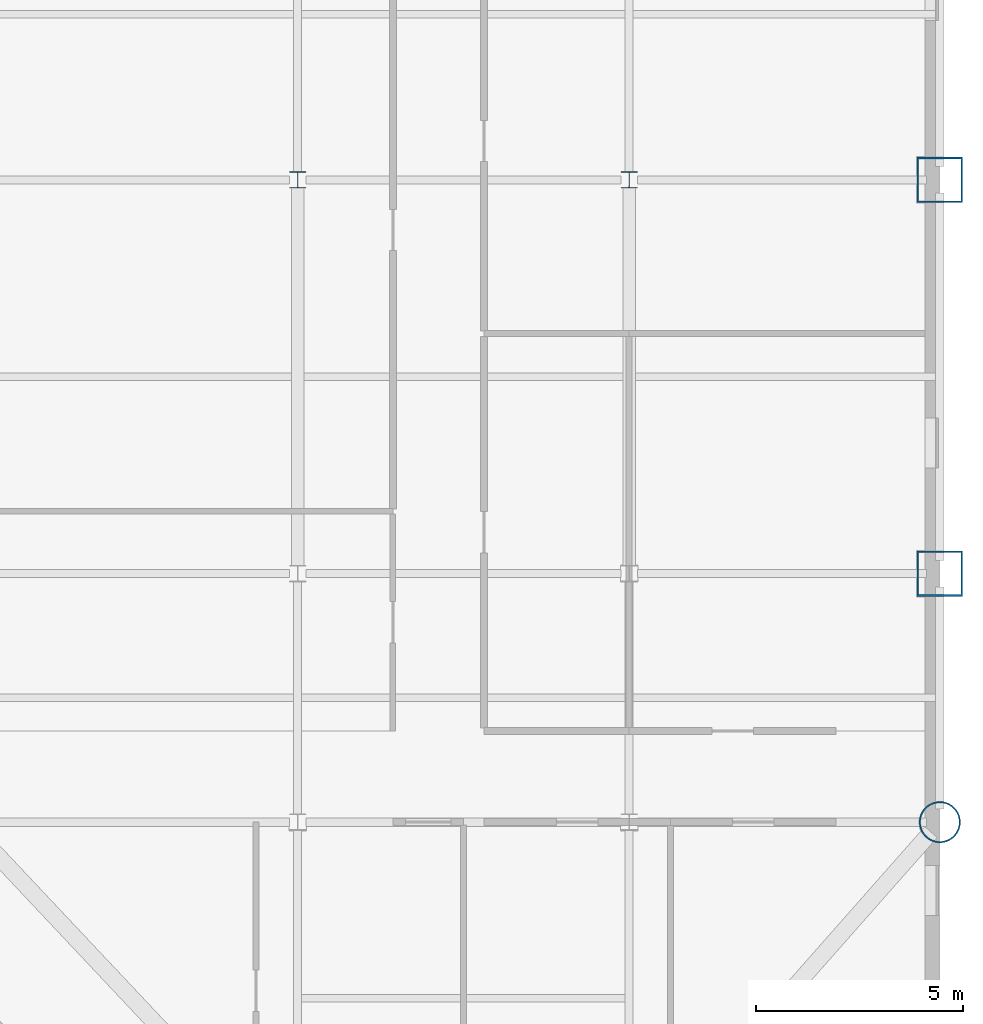
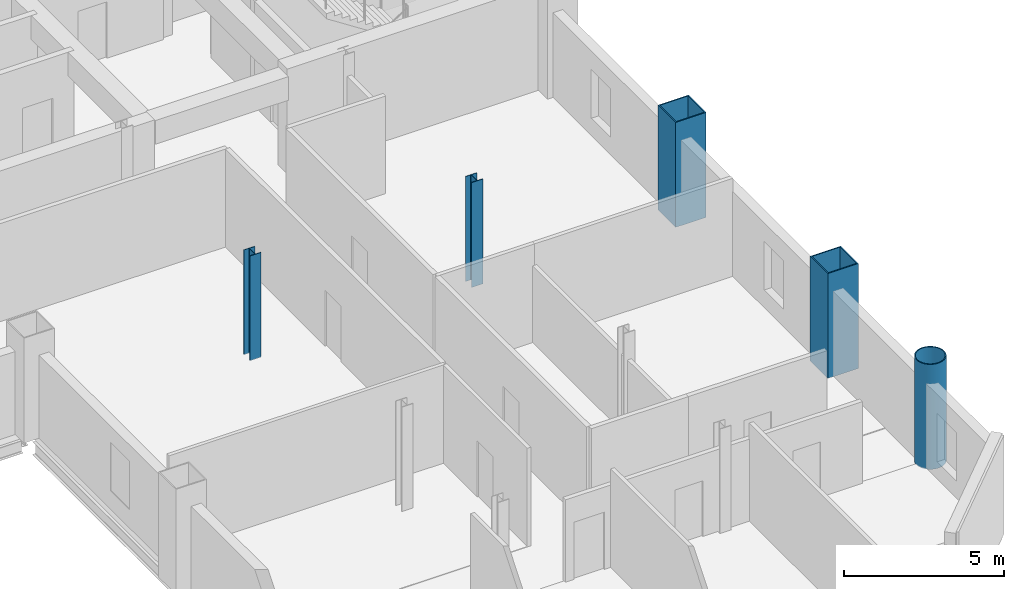
# One storey, part 2 of 10: 5 columns.
"""IFC4 building model written with IfcOpenShell, lengths in metres."""

from ifc_helpers import new_model, si_unit, direction, frame, origin, origin_2d, place, context, subcontext, project, spatial, hollow_rectangle, hollow_circle, i_section, extrude, material, material_profile, profile_set, type_object, element, save


model = new_model("IFC4")

# Units and contexts
model_context = context("Model", 3, precision=1e-05, world=origin(), true_north=direction((0.0, 1.0)))
body_context = subcontext(model_context, "Body", "Model", "MODEL_VIEW")
ifc_project = project(units=[si_unit("LENGTHUNIT", "METRE"), si_unit("AREAUNIT", "SQUARE_METRE"), si_unit("VOLUMEUNIT", "CUBIC_METRE"), si_unit("PLANEANGLEUNIT", "RADIAN"), si_unit("MASSUNIT", "GRAM", prefix="KILO")], contexts=[model_context])

# Site, building, storey
site_placement = place(None, origin())
site = spatial("IfcSite", under=ifc_project, at=site_placement, CompositionType="ELEMENT")
building_placement = place(site_placement, origin())
building = spatial("IfcBuilding", under=site, at=building_placement, Name="Qianrong Seaharbour Tower", CompositionType="ELEMENT")
storey_placement = place(building_placement, frame((0.0, 0.0, 183.0)))
storey = spatial("IfcBuildingStorey", under=building, at=storey_placement, Name="L44", CompositionType="ELEMENT", Elevation=183.0)

# Columns
ifc_material = material(Name="Structural steel SN490B", Category="steel")
ifc_material_profile_1 = material_profile(ifc_material, hollow_rectangle(XDim=1.10009765625, YDim=1.10009765625, WallThickness=0.0400390625, at=origin_2d()), Name="BOX1100x1100x40")
ifc_profile_set_1 = profile_set([ifc_material_profile_1], Name="Structural steel SN490B")
column_type_1 = type_object("IfcColumnType", Name="COL-CFT-1100", PredefinedType="COLUMN", material=ifc_profile_set_1)
for number, where, z_axis, x_axis, name in (
    (1, (64.0, 18.5, 0.0), (0.0, 0.0, 1.0), (1.0, 0.0, 0.0), "L44 Column MC-3 at G9/GD"),
    (2, (64.0, 28.0, 0.0), (0.0, 0.0, 1.0), (1.0, 0.0, 0.0), "L44 Column MC-3 at G9/GE"),
):
    element("IfcColumn", number, at=place(storey_placement, frame(where, z_axis=z_axis, x_axis=x_axis)), inside=storey, type_object=column_type_1, Name=name, PredefinedType="COLUMN", context=body_context, shape_type="SweptSolid", body=[
        extrude(hollow_rectangle(XDim=1.10009765625, YDim=1.10009765625, WallThickness=0.0400390625, at=origin_2d()), origin(), (0.0, 0.0, 1.0), 4.0),
    ])
ifc_material_profile_2 = material_profile(ifc_material, hollow_circle(Radius=0.5, WallThickness=0.035888671875, at=origin_2d()), Name="CHS1000x36")
ifc_profile_set_2 = profile_set([ifc_material_profile_2], Name="Structural steel SN490B")
column_type_2 = type_object("IfcColumnType", Name="COL-CHS-1000", PredefinedType="COLUMN", material=ifc_profile_set_2)
column_placement = place(storey_placement, frame((64.0, 12.5, 0.0), z_axis=(0.0, 0.0, 1.0), x_axis=(1.0, 0.0, 0.0)))
element("IfcColumn", 3, at=column_placement, inside=storey, type_object=column_type_2, Name="L44 Column CC-2 at G9/GC", PredefinedType="COLUMN", context=body_context, shape_type="SweptSolid", body=[
    extrude(hollow_circle(Radius=0.5, WallThickness=0.035888671875, at=origin_2d()), origin(), (0.0, 0.0, 1.0), 4.0),
])
ifc_material_profile_3 = material_profile(ifc_material, i_section(OverallWidth=0.39990234375, OverallDepth=0.39990234375, WebThickness=0.012939453125, FlangeThickness=0.02099609375, FilletRadius=0.02197265625, at=origin_2d()), Name="H400x400x13x21")
ifc_profile_set_3 = profile_set([ifc_material_profile_3], Name="Structural steel SN490B")
column_type_3 = type_object("IfcColumnType", Name="COL-INT-H400", PredefinedType="COLUMN", material=ifc_profile_set_3)
for number, where, z_axis, x_axis, name in (
    (4, (48.5, 28.0, 0.0), (0.0, 0.0, 1.0), (1.0, 0.0, 0.0), "L44 Column IC-3 at G7/GE"),
    (5, (56.5, 28.0, 0.0), (0.0, 0.0, 1.0), (1.0, 0.0, 0.0), "L44 Column IC-3 at G8/GE"),
):
    element("IfcColumn", number, at=place(storey_placement, frame(where, z_axis=z_axis, x_axis=x_axis)), inside=storey, type_object=column_type_3, Name=name, PredefinedType="COLUMN", context=body_context, shape_type="SweptSolid", body=[
        extrude(i_section(OverallWidth=0.39990234375, OverallDepth=0.39990234375, WebThickness=0.012939453125, FlangeThickness=0.02099609375, FilletRadius=0.02197265625, at=origin_2d()), origin(), (0.0, 0.0, 1.0), 4.0),
    ])

save(model, "model.ifc")
